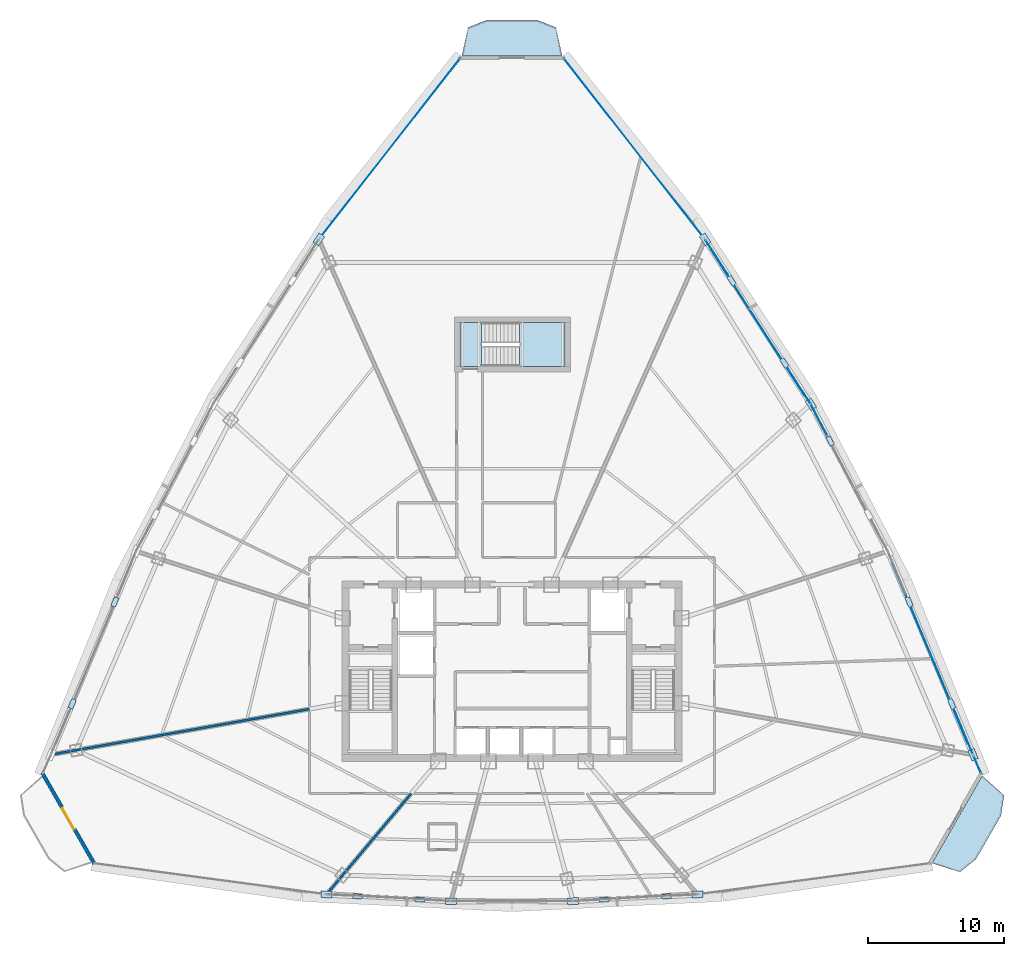
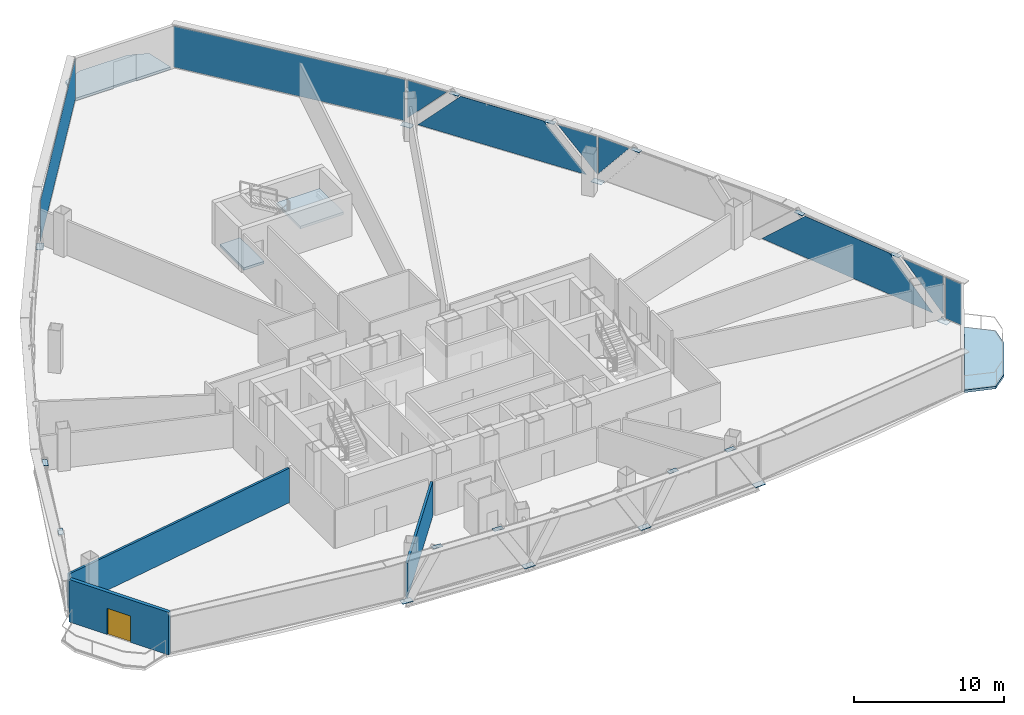
# One storey, part 29 of 37: 28 plates, 4 slabs, 3 walls, 1 door, 1 opening, 7 elements without a shape of their own.
"""IFC4 building model written with IfcOpenShell, lengths in metres."""

from ifc_helpers import new_model, si_unit, direction, frame, frame_2d, origin, origin_with_axes, origin_2d, place, context, subcontext, project, spatial, polyline, rectangle, outline, extrude, source, transform, mapped, material, layer, layer_set, type_object, element, fill, aggregate, save


model = new_model("IFC4")

# Units and contexts
model_context = context("Model", 3, precision=1e-05, world=origin(), true_north=direction((0.0, 1.0)))
body_context = subcontext(model_context, "Body", "Model", "MODEL_VIEW")
ifc_project = project(units=[si_unit("LENGTHUNIT", "METRE"), si_unit("AREAUNIT", "SQUARE_METRE"), si_unit("VOLUMEUNIT", "CUBIC_METRE"), si_unit("PLANEANGLEUNIT", "RADIAN"), si_unit("MASSUNIT", "GRAM", prefix="KILO"), si_unit("THERMODYNAMICTEMPERATUREUNIT", "KELVIN"), si_unit("POWERUNIT", "WATT")], contexts=[model_context])

# Site, building, storey
site_placement = place(None, origin())
site = spatial("IfcSite", under=ifc_project, at=site_placement, CompositionType="ELEMENT")
building_placement = place(site_placement, origin())
building = spatial("IfcBuilding", under=site, at=building_placement, Name="Yunzhuo Pagoda Commons", CompositionType="ELEMENT")
storey_placement = place(building_placement, frame((0.0, 0.0, 255.719970703125)))
storey = spatial("IfcBuildingStorey", under=building, at=storey_placement, Name="L64", CompositionType="ELEMENT", Elevation=255.719970703125)

# Curtain wall, plates
ifc_material_1 = material(Name="Anodized aluminium 6063-T6", Category="aluminium")
ifc_layer_1 = layer(ifc_material_1, 0.139892578125)
ifc_layer_set_1 = layer_set([ifc_layer_1], Name="Anodized aluminium 6063-T6")
curtain_wall_type = type_object("IfcCurtainWallType", Name="CW-HI High-Zone Ribbon Curtain Wall", PredefinedType="NOTDEFINED", material=ifc_layer_set_1)
curtain_wall_1_placement = place(storey_placement, origin())
curtain_wall_1 = element("IfcCurtainWall", 1, at=curtain_wall_1_placement, inside=storey, type_object=curtain_wall_type, Name="L64 curtain wall CW-L64-F2B2", PredefinedType="NOTDEFINED")
ifc_material_2 = material(Name="Tempered low-e double glazing", Category="glass")
ifc_layer_2 = layer(ifc_material_2, 0.02587890625)
ifc_layer_set_2 = layer_set([ifc_layer_2], Name="Tempered low-e double glazing")
plate_type_1 = type_object("IfcPlateType", Name="CW-HI-P Low-E Double Glazing 26", PredefinedType="CURTAIN_PANEL", material=ifc_layer_set_2)
plate_1_placement = place(storey_placement, frame((81.101318359375, 29.342529296875, 1.86376953125), z_axis=(0.922450521644, 0.38611531324, 0.0), x_axis=(-0.38611531324, 0.922450521644, 0.0)))
plate_1 = element("IfcPlate", 2, at=plate_1_placement, type_object=plate_type_1, Name="CW panel 1.1 lite 1", PredefinedType="CURTAIN_PANEL", context=body_context, shape_type="SweptSolid", body=[
    extrude(outline(polyline([(-1.680419921875, -1.55126953125), (1.680419921875, 1.55126953125), (-1.680419921875, 1.55126953125), (-1.680419921875, -1.55126953125)])), origin(), (0.0, 0.0, 1.0), 0.028076171875),
])
plate_2_placement = place(storey_placement, frame((78.62548828125, 35.179443359375, 1.735107421875), z_axis=(0.922450521644, 0.38611531324, 0.0), x_axis=(-0.38611531324, 0.922450521644, 0.0)))
plate_2 = element("IfcPlate", 3, at=plate_2_placement, type_object=plate_type_1, Name="CW panel 1.1 lite 2", PredefinedType="CURTAIN_PANEL", context=body_context, shape_type="SweptSolid", body=[
    extrude(outline(polyline([(-7.17919921875, -1.679931640625), (7.17919921875, -1.679931640625), (3.53955078125, 1.679931640625), (-3.53955078125, 1.679931640625), (-7.17919921875, -1.679931640625)])), origin(), (0.0, 0.0, 1.0), 0.028076171875),
])
aggregate(curtain_wall_1, [plate_1, plate_2])

# Curtain wall, plate
curtain_wall_2_placement = place(storey_placement, origin())
curtain_wall_2 = element("IfcCurtainWall", 4, at=curtain_wall_2_placement, inside=storey, type_object=curtain_wall_type, Name="L64 curtain wall CW-L64-F2B3", PredefinedType="NOTDEFINED")
plate_3_placement = place(storey_placement, frame((70.48486328125, 52.278076171875, 1.9150390625), z_axis=(0.885743148427, 0.464175694123, 0.0), x_axis=(-0.464175694123, 0.885743148427, 0.0)))
plate_3 = element("IfcPlate", 5, at=plate_3_placement, type_object=plate_type_1, Name="CW panel 1.1 lite 3", PredefinedType="CURTAIN_PANEL", context=body_context, shape_type="SweptSolid", body=[
    extrude(outline(polyline([(-1.222412109375, 1.5), (1.222412109375, -1.5), (1.222412109375, 1.5), (-1.222412109375, 1.5)])), origin(), (0.0, 0.0, 1.0), 0.028076171875),
])
aggregate(curtain_wall_2, [plate_3])

# Curtain wall, plates
curtain_wall_3_placement = place(storey_placement, origin())
curtain_wall_3 = element("IfcCurtainWall", 6, at=curtain_wall_3_placement, inside=storey, type_object=curtain_wall_type, Name="L64 curtain wall CW-L64-F2B4", PredefinedType="NOTDEFINED")
plate_4_placement = place(storey_placement, frame((69.0625, 54.70361328125, 1.8828125), z_axis=(0.841750083847, 0.539867387738, 0.0), x_axis=(-0.539867387738, 0.841750083847, 0.0)))
plate_4 = element("IfcPlate", 7, at=plate_4_placement, type_object=plate_type_1, Name="CW panel 1.1 lite 1", PredefinedType="CURTAIN_PANEL", context=body_context, shape_type="SweptSolid", body=[
    extrude(outline(polyline([(-1.473388671875, -1.5322265625), (1.473388671875, 1.5322265625), (-1.473388671875, 1.5322265625), (-1.473388671875, -1.5322265625)])), origin(), (0.0, 0.0, 1.0), 0.028076171875),
])
plate_5_placement = place(storey_placement, frame((65.992431640625, 59.434814453125, 1.735107421875), z_axis=(0.841750083847, 0.539867387738, 0.0), x_axis=(-0.539867387738, 0.841750083847, 0.0)))
plate_5 = element("IfcPlate", 8, at=plate_5_placement, type_object=plate_type_1, Name="CW panel 1.1 lite 2", PredefinedType="CURTAIN_PANEL", context=body_context, shape_type="SweptSolid", body=[
    extrude(outline(polyline([(-6.343017578125, -1.679931640625), (6.343017578125, -1.679931640625), (3.1123046875, 1.679931640625), (-3.1123046875, 1.679931640625), (-6.343017578125, -1.679931640625)])), origin(), (0.0, 0.0, 1.0), 0.028076171875),
])
plate_6_placement = place(storey_placement, frame((62.972900390625, 64.198486328125, 1.8828125), z_axis=(0.841750083847, 0.539867387738, 0.0), x_axis=(-0.539867387738, 0.841750083847, 0.0)))
plate_6 = element("IfcPlate", 9, at=plate_6_placement, type_object=plate_type_1, Name="CW panel 1.1 lite 3", PredefinedType="CURTAIN_PANEL", context=body_context, shape_type="SweptSolid", body=[
    extrude(outline(polyline([(-1.473388671875, 1.5322265625), (1.473388671875, -1.5322265625), (1.473388671875, 1.5322265625), (-1.473388671875, 1.5322265625)])), origin(), (0.0, 0.0, 1.0), 0.028076171875),
])
aggregate(curtain_wall_3, [plate_4, plate_5, plate_6])

# Slabs
ifc_material_3 = material(Name="Concrete C40", Category="concrete")
ifc_layer_3 = layer(ifc_material_3, 0.199951171875)
ifc_layer_set_3 = layer_set([ifc_layer_3], Name="Concrete C40")
slab_type_1 = type_object("IfcSlabType", Name="SL-BAL Vertex Balcony Deck Slab 200", PredefinedType="FLOOR", material=ifc_layer_set_3)
slab_1_placement = place(storey_placement, frame((0.0, 0.0, -0.199951171875)))
element("IfcSlab", 10, at=slab_1_placement, inside=storey, type_object=slab_type_1, Name="L64 corner balcony V2", PredefinedType="FLOOR", context=body_context, shape_type="SweptSolid", body=[
    extrude(outline(polyline([(78.784912109375, 19.79150390625), (82.461181640625, 26.194580078125), (84.053955078125, 24.760986328125), (83.8359375, 23.276611328125), (81.997802734375, 20.0751953125), (80.82568359375, 19.138427734375), (78.784912109375, 19.79150390625)])), origin(), (0.0, 0.0, 1.0), 0.199951171875),
])
slab_2_placement = place(storey_placement, frame((0.0, 0.0, -0.199951171875)))
element("IfcSlab", 11, at=slab_2_placement, inside=storey, type_object=slab_type_1, Name="L64 corner balcony V3", PredefinedType="FLOOR", context=body_context, shape_type="SweptSolid", body=[
    extrude(outline(polyline([(51.676513671875, 78.93212890625), (44.323486328125, 78.93212890625), (44.773681640625, 81.027099609375), (46.161865234375, 81.5771484375), (49.838134765625, 81.5771484375), (51.226318359375, 81.027099609375), (51.676513671875, 78.93212890625)])), origin(), (0.0, 0.0, 1.0), 0.199951171875),
])

# Stair, slabs
stair_type = type_object("IfcStairType", Name="ST-C3 North Tower Smokeproof Stair ST3", PredefinedType="HALF_TURN_STAIR", material=ifc_material_3)
stair_placement = place(storey_placement, origin())
stair = element("IfcStair", 12, at=stair_placement, inside=storey, type_object=stair_type, Name="L64 North tower smokeproof stair ST3", PredefinedType="HALF_TURN_STAIR")
ifc_layer_4 = layer(ifc_material_3, 0.2041015625)
ifc_layer_set_4 = layer_set([ifc_layer_4], Name="Concrete C40")
slab_type_2 = type_object("IfcSlabType", Name="SL-LND5 North Landing Slab 204", PredefinedType="LANDING", material=ifc_layer_set_4)
slab_3_placement = place(storey_placement, frame((0.0, 0.0, 1.6650390625)))
slab_3 = element("IfcSlab", 13, at=slab_3_placement, type_object=slab_type_2, Name="ST3 landing 1", PredefinedType="LANDING", context=body_context, shape_type="SweptSolid", body=[
    extrude(outline(polyline([(48.550048828125, 56.199951171875), (51.89990234375, 56.199951171875), (51.89990234375, 59.39990234375), (48.550048828125, 59.39990234375), (48.550048828125, 56.199951171875)])), origin(), (0.0, 0.0, 1.0), 0.199951171875),
])
slab_4_placement = place(storey_placement, frame((0.0, 0.0, -0.199951171875)))
slab_4 = element("IfcSlab", 14, at=slab_4_placement, type_object=slab_type_2, Name="ST3 floor landing L64", PredefinedType="LANDING", context=body_context, shape_type="SweptSolid", body=[
    extrude(outline(polyline([(44.199951171875, 56.199951171875), (45.75, 56.199951171875), (45.75, 59.39990234375), (44.199951171875, 59.39990234375), (44.199951171875, 56.199951171875)])), origin(), (0.0, 0.0, 1.0), 0.199951171875),
])
aggregate(stair, [slab_3, slab_4])

# Plates
ifc_material_4 = material(Name="Structural steel Q355B", Category="steel")
ifc_layer_5 = layer(ifc_material_4, 0.028076171875)
ifc_layer_set_5 = layer_set([ifc_layer_5], Name="Structural steel Q355B")
plate_type_2 = type_object("IfcPlateType", Name="SP-ND1 Lattice Node Cap Plate 800x500x28", PredefinedType="USERDEFINED", material=ifc_layer_set_5)
shared_shape_1 = source(origin(), body_context, "Body", "SweptSolid", [
    extrude(rectangle(XDim=0.800048828125, YDim=0.5, at=origin_2d()), origin(), (0.0, 0.0, 1.0), 0.028076171875),
])
for number, where, z_axis, x_axis, name in (
    (15, (34.404541015625, 17.49755859375, -0.27392578125), (0.0, 0.0, 1.0), (0.998541385791, -0.053991674016, 0.0), "L64 diamond node plate F1.1A"),
    (16, (43.5263671875, 17.00439453125, -0.27392578125), (0.0, 0.0, 1.0), (1.0, 0.0, 0.0), "L64 diamond node plate F1.2A"),
    (17, (52.4736328125, 17.00439453125, -0.27392578125), (0.0, 0.0, 1.0), (0.998541385791, 0.053991674016, 0.0), "L64 diamond node plate F1.3A"),
    (18, (61.595458984375, 17.49755859375, -0.27392578125), (0.0, 0.0, 1.0), (0.998541385791, 0.053991674016, 0.0), "L64 diamond node plate F1.3B"),
    (19, (81.7861328125, 27.74267578125, -0.27392578125), (0.0, 0.0, 1.0), (-0.386115349642, 0.922450506407, 0.0), "L64 diamond node plate F2.1A"),
    (20, (69.90185546875, 53.420654296875, -0.27392578125), (0.0, 0.0, 1.0), (-0.539873090716, 0.841746426141, 0.0), "L64 diamond node plate F2.3A"),
    (21, (62.15673828125, 65.49658203125, -0.27392578125), (0.0, 0.0, 1.0), (-0.539873090716, 0.841746426141, 0.0), "L64 diamond node plate F2.3B"),
    (22, (33.84326171875, 65.49658203125, -0.27392578125), (0.0, 0.0, 1.0), (-0.539873090716, -0.841746426141, 0.0), "L64 diamond node plate F3.1A"),
):
    element("IfcPlate", number, at=place(storey_placement, frame(where, z_axis=z_axis, x_axis=x_axis)), inside=storey, type_object=plate_type_2, Name=name, ObjectType="STIFFENER_PLATE", PredefinedType="USERDEFINED", context=body_context, shape_type="MappedRepresentation", body=[
        mapped(shared_shape_1, transform((0.0, 0.0, 0.0), scale=1.0)),
    ])
shared_shape_2 = source(origin(), body_context, "Body", "SweptSolid", [
    extrude(rectangle(XDim=0.699951171875, YDim=0.35009765625, at=origin_2d()), origin(), (0.0, 0.0, 1.0), 0.035888671875),
])
for number, where, z_axis, x_axis, name in (
    (23, (36.68505859375, 17.374267578125, 3.43212890625), (0.0, 0.0, 1.0), (0.998541385791, -0.053991674016, 0.0), "L64 setback lattice tie plate F1.1L"),
    (24, (41.245849609375, 17.127685546875, 3.43212890625), (0.0, 0.0, 1.0), (0.998541385791, -0.053991674016, 0.0), "L64 setback lattice tie plate F1.1R"),
    (25, (54.754150390625, 17.127685546875, 3.43212890625), (0.0, 0.0, 1.0), (0.998541385791, 0.053991674016, 0.0), "L64 setback lattice tie plate F1.3L"),
    (26, (59.31494140625, 17.374267578125, 3.43212890625), (0.0, 0.0, 1.0), (0.998541385791, 0.053991674016, 0.0), "L64 setback lattice tie plate F1.3R"),
    (27, (80.22607421875, 31.469482421875, 3.43212890625), (0.0, 0.0, 1.0), (-0.386115349642, 0.922450506407, 0.0), "L64 setback lattice tie plate F2.1L"),
    (28, (77.106201171875, 38.92333984375, 3.43212890625), (0.0, 0.0, 1.0), (-0.386115349642, 0.922450506407, 0.0), "L64 setback lattice tie plate F2.1R"),
    (29, (71.31298828125, 50.72802734375, 3.43212890625), (0.0, 0.0, 1.0), (-0.464177434419, 0.885742236419, 0.0), "L64 setback lattice tie plate F2.2R"),
    (30, (67.965576171875, 56.439697265625, 3.43212890625), (0.0, 0.0, 1.0), (-0.539873090716, 0.841746426141, 0.0), "L64 setback lattice tie plate F2.3L"),
    (31, (64.093017578125, 62.4775390625, 3.43212890625), (0.0, 0.0, 1.0), (-0.539873090716, 0.841746426141, 0.0), "L64 setback lattice tie plate F2.3R"),
    (32, (18.893798828125, 38.92333984375, 3.43212890625), (0.0, 0.0, 1.0), (-0.386115349642, -0.922450506407, 0.0), "L64 setback lattice tie plate F3.3L"),
    (33, (15.77392578125, 31.469482421875, 3.43212890625), (0.0, 0.0, 1.0), (-0.386115349642, -0.922450506407, 0.0), "L64 setback lattice tie plate F3.3R"),
):
    element("IfcPlate", number, at=place(storey_placement, frame(where, z_axis=z_axis, x_axis=x_axis)), inside=storey, type_object=plate_type_2, Name=name, ObjectType="STIFFENER_PLATE", PredefinedType="USERDEFINED", context=body_context, shape_type="MappedRepresentation", body=[
        mapped(shared_shape_2, transform((0.0, 0.0, 0.0), scale=1.0)),
    ])

# Curtain wall, plate
curtain_wall_4_placement = place(storey_placement, origin())
curtain_wall_4 = element("IfcCurtainWall", 34, at=curtain_wall_4_placement, inside=storey, type_object=curtain_wall_type, Name="L64 curtain wall CW-L64-F2B1", PredefinedType="NOTDEFINED")
shared_shape_3 = source(origin(), body_context, "Body", "SweptSolid", [
    extrude(rectangle(XDim=1.328857421875, YDim=0.028076171875, at=origin_2d()), origin(), (0.0, 0.0, 1.0), 3.360107421875),
])
plate_7_placement = place(storey_placement, frame((82.103759765625, 27.009033203125, 0.05517578125), z_axis=(0.0, 0.0, 1.0), x_axis=(-0.397256840254, 0.917707471295, 0.0)))
plate_7 = element("IfcPlate", 35, at=plate_7_placement, type_object=plate_type_1, Name="CW panel 1.1", PredefinedType="CURTAIN_PANEL", context=body_context, shape_type="MappedRepresentation", body=[
    mapped(shared_shape_3, transform((0.0, 0.0, 0.0), scale=1.0)),
])
aggregate(curtain_wall_4, [plate_7])

curtain_wall_5_placement = place(storey_placement, origin())
curtain_wall_5 = element("IfcCurtainWall", 36, at=curtain_wall_5_placement, inside=storey, type_object=curtain_wall_type, Name="L64 curtain wall CW-L64-F2B5", PredefinedType="NOTDEFINED")
shared_shape_4 = source(origin(), body_context, "Body", "SweptSolid", [
    extrude(rectangle(XDim=16.679931640625, YDim=0.028076171875, at=origin_2d()), origin(), (0.0, 0.0, 1.0), 3.360107421875),
])
plate_8_placement = place(storey_placement, frame((56.94091796875, 72.176513671875, 0.05517578125), z_axis=(0.0, 0.0, 1.0), x_axis=(-0.615432519405, 0.788189580024, 0.0)))
plate_8 = element("IfcPlate", 37, at=plate_8_placement, type_object=plate_type_1, Name="CW panel 1.1", PredefinedType="CURTAIN_PANEL", context=body_context, shape_type="MappedRepresentation", body=[
    mapped(shared_shape_4, transform((0.0, 0.0, 0.0), scale=1.0)),
])
aggregate(curtain_wall_5, [plate_8])

curtain_wall_6_placement = place(storey_placement, origin())
curtain_wall_6 = element("IfcCurtainWall", 38, at=curtain_wall_6_placement, inside=storey, type_object=curtain_wall_type, Name="L64 curtain wall CW-L64-F3B1", PredefinedType="NOTDEFINED")
plate_9_placement = place(storey_placement, frame((39.05908203125, 72.176513671875, 0.05517578125), z_axis=(0.0, 0.0, 1.0), x_axis=(-0.615432519405, -0.788189580024, 0.0)))
plate_9 = element("IfcPlate", 39, at=plate_9_placement, type_object=plate_type_1, Name="CW panel 1.1", PredefinedType="CURTAIN_PANEL", context=body_context, shape_type="MappedRepresentation", body=[
    mapped(shared_shape_4, transform((0.0, 0.0, 0.0), scale=1.0)),
])
aggregate(curtain_wall_6, [plate_9])

# Wall, opening, door
ifc_material_5 = material(Name="Precast concrete C40", Category="concrete")
ifc_layer_6 = layer(ifc_material_5, 0.260009765625)
ifc_layer_set_6 = layer_set([ifc_layer_6], Name="Precast concrete C40")
wall_type_1 = type_object("IfcWallType", Name="W-BAL1 Corner Balcony Threshold Wall 260", PredefinedType="STANDARD", material=ifc_layer_set_6)
wall_1_placement = place(storey_placement, frame((13.5810546875, 26.391845703125, 0.0), z_axis=(0.0, 0.0, 1.0), x_axis=(0.497934343816, -0.867214730761, 0.0)))
wall_1 = element("IfcWall", 40, at=wall_1_placement, inside=storey, type_object=wall_type_1, Name="L64 corner balcony wall V1", PredefinedType="STANDARD", context=body_context, shape_type="SweptSolid", body=[
    extrude(rectangle(XDim=7.68359375, YDim=0.260009765625, at=frame_2d((3.841796875, 0.0))), origin(), (0.0, 0.0, 1.0), 3.469970703125),
])
opening_placement = place(wall_1_placement, frame((2.94189453125, 0.0, 0.0)))
opening = element("IfcOpeningElement", 41, at=opening_placement, cuts=wall_1, Name="Opening D-BAL1", PredefinedType="OPENING", context=body_context, shape_type="SweptSolid", body=[
    extrude(rectangle(XDim=1.800048828125, YDim=2.14990234375, at=frame_2d((0.89990234375, 1.074951171875))), frame((0.0, 0.14013671875, 0.0), z_axis=(0.0, -1.0, 0.0), x_axis=(1.0, 0.0, 0.0)), (0.0, 0.0, 1.0), 0.280029296875),
])
ifc_material_6 = material(Name="Anodized aluminium frame and tempered glazed leaf", Category="aluminium")
door_type = type_object("IfcDoorType", Name="D-BAL1 Corner Balcony Sliding Glazed Door 1800x2150", OperationType="DOUBLE_DOOR_SLIDING", PredefinedType="DOOR", material=ifc_material_6)
shared_shape_5 = source(origin(), body_context, "Body", "SweptSolid", [
    extrude(rectangle(XDim=1.800048828125, YDim=2.14990234375, at=frame_2d((0.89990234375, 1.074951171875))), frame((0.0, 0.02490234375, 0.0), z_axis=(0.0, -1.0, 0.0), x_axis=(1.0, 0.0, 0.0)), (0.0, 0.0, 1.0), 0.050048828125),
])
door_placement = place(opening_placement, origin_with_axes())
door = element("IfcDoor", 42, at=door_placement, inside=storey, type_object=door_type, Name="L64 corner balcony sliding door V1", OperationType="DOUBLE_DOOR_SLIDING", OverallHeight=2.14990234375, OverallWidth=1.800048828125, PredefinedType="DOOR", context=body_context, shape_type="MappedRepresentation", body=[
    mapped(shared_shape_5, transform((0.0, 0.0, 0.0), scale=1.0)),
])
fill(opening, door)

# Walls
ifc_material_7 = material(Name="Gypsum plasterboard on acoustic stud")
ifc_layer_7 = layer(ifc_material_7, 0.169921875)
ifc_layer_set_7 = layer_set([ifc_layer_7], Name="Gypsum plasterboard on acoustic stud")
wall_type_2 = type_object("IfcWallType", Name="W-PRT4 High-Zone Demising Wall 170", PredefinedType="PARTITIONING", material=ifc_layer_set_7)
wall_2_placement = place(storey_placement, frame((33.14990234375, 31.08154296875, 0.0), z_axis=(0.0, 0.0, 1.0), x_axis=(-0.984808346381, -0.173644812474, 0.0)))
element("IfcWall", 43, at=wall_2_placement, inside=storey, type_object=wall_type_2, Name="L64 interior wall IW-L64-RAD08", PredefinedType="PARTITIONING", context=body_context, shape_type="SweptSolid", body=[
    extrude(rectangle(XDim=19.22802734375, YDim=0.169921875, at=frame_2d((9.614013671875, 0.0))), origin(), (0.0, 0.0, 1.0), 2.820068359375),
])
wall_3_placement = place(storey_placement, frame((40.615966796875, 24.89990234375, 0.0), z_axis=(0.0, 0.0, 1.0), x_axis=(-0.642795010628, -0.766038232931, 0.0)))
element("IfcWall", 44, at=wall_3_placement, inside=storey, type_object=wall_type_2, Name="L64 interior wall IW-L64-RAD09", PredefinedType="PARTITIONING", context=body_context, shape_type="SweptSolid", body=[
    extrude(rectangle(XDim=9.6630859375, YDim=0.169921875, at=frame_2d((4.83154296875, 0.0))), origin(), (0.0, 0.0, 1.0), 2.820068359375),
])

save(model, "model.ifc")
